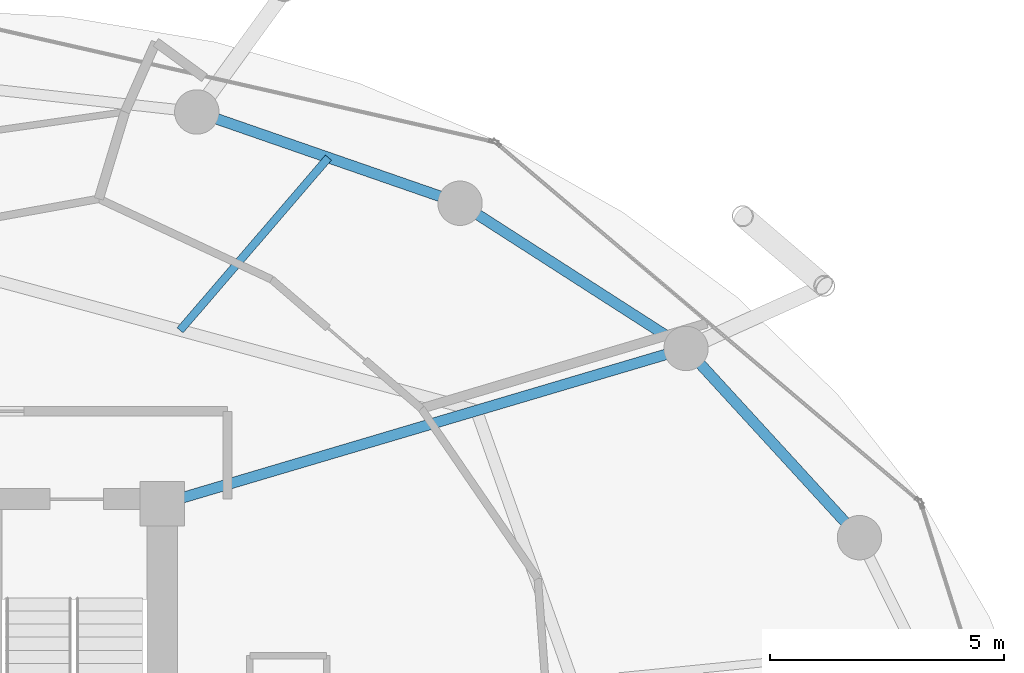
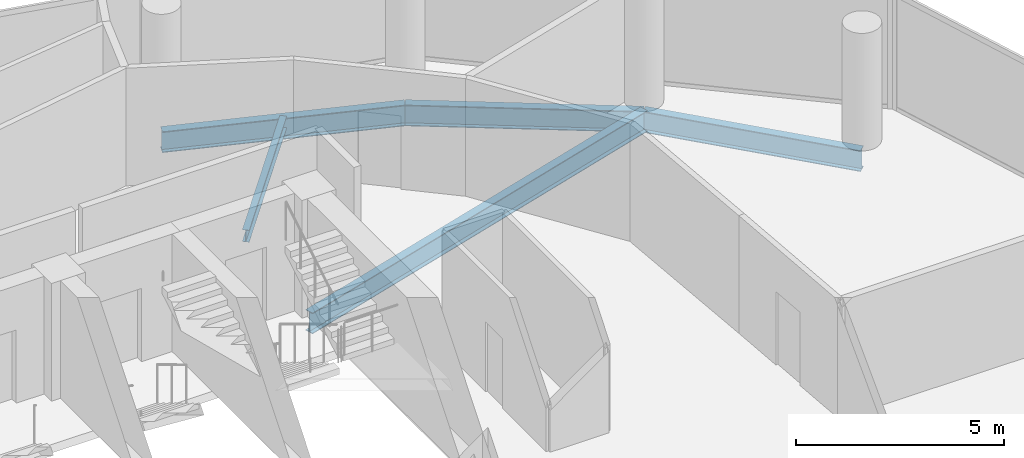
# One storey, part 18 of 26: 5 beams.
"""IFC4 building model written with IfcOpenShell, lengths in metres."""

from ifc_helpers import new_model, si_unit, direction, frame, origin, origin_2d, place, context, subcontext, project, spatial, i_section, extrude, material, material_profile, profile_set, type_object, element, save


model = new_model("IFC4")

# Units and contexts
model_context = context("Model", 3, precision=1e-05, world=origin(), true_north=direction((0.0, 1.0)))
body_context = subcontext(model_context, "Body", "Model", "MODEL_VIEW")
ifc_project = project(units=[si_unit("LENGTHUNIT", "METRE"), si_unit("AREAUNIT", "SQUARE_METRE"), si_unit("VOLUMEUNIT", "CUBIC_METRE"), si_unit("PLANEANGLEUNIT", "RADIAN"), si_unit("MASSUNIT", "GRAM", prefix="KILO")], contexts=[model_context])

# Site, building, storey
site_placement = place(None, origin())
site = spatial("IfcSite", under=ifc_project, at=site_placement, CompositionType="ELEMENT")
building_placement = place(site_placement, origin())
building = spatial("IfcBuilding", under=site, at=building_placement, Name="Nuhasar Tower", CompositionType="ELEMENT")
storey_placement = place(building_placement, frame((0.0, 0.0, 155.25)))
storey = spatial("IfcBuildingStorey", under=building, at=storey_placement, Name="L37", CompositionType="ELEMENT", Elevation=155.25)

# Beams
ifc_material = material(Name="Steel S355", Category="steel")
ifc_material_profile_1 = material_profile(ifc_material, i_section(OverallWidth=0.1708984375, OverallDepth=0.35205078125, WebThickness=0.0068359375, FlangeThickness=0.009765625, at=origin_2d()), Name="W14X30")
ifc_profile_set_1 = profile_set([ifc_material_profile_1], Name="Steel S355")
beam_type_1 = type_object("IfcBeamType", Name="BM-JST-W14X30", PredefinedType="JOIST", material=ifc_profile_set_1)
beam_1_placement = place(storey_placement, frame((44.68408203125, 41.011962890625, -0.426025390625), z_axis=(0.651690621509, 0.758484893612, 0.0), x_axis=(-0.758484893612, 0.651690621509, 0.0)))
element("IfcBeam", 1, at=beam_1_placement, inside=storey, type_object=beam_type_1, Name="L37 Secondary Floor Joist 05", PredefinedType="JOIST", context=body_context, shape_type="SweptSolid", body=[
    extrude(i_section(OverallWidth=0.1708984375, OverallDepth=0.35205078125, WebThickness=0.0068359375, FlangeThickness=0.009765625, at=origin_2d()), origin(), (0.0, 0.0, 1.0), 4.87158203125),
])
ifc_material_profile_2 = material_profile(ifc_material, i_section(OverallWidth=0.22900390625, OverallDepth=0.612060546875, WebThickness=0.011962890625, FlangeThickness=0.01953125, at=origin_2d()), Name="W24X84")
ifc_profile_set_2 = profile_set([ifc_material_profile_2], Name="Steel S355")
beam_type_2 = type_object("IfcBeamType", Name="BM-RAD-W24X84", PredefinedType="BEAM", material=ifc_profile_set_2)
beam_2_placement = place(storey_placement, frame((44.300048828125, 37.300048828125, -0.555908203125), z_axis=(0.958746492721, 0.284262489076, 0.0), x_axis=(-0.284262489076, 0.958746492721, 0.0)))
element("IfcBeam", 2, at=beam_2_placement, inside=storey, type_object=beam_type_2, Name="L37 Radial Floor Girder 05", PredefinedType="BEAM", context=body_context, shape_type="SweptSolid", body=[
    extrude(i_section(OverallWidth=0.22900390625, OverallDepth=0.612060546875, WebThickness=0.011962890625, FlangeThickness=0.01953125, at=origin_2d()), origin(), (0.0, 0.0, 1.0), 11.693359375),
])
ifc_material_profile_3 = material_profile(ifc_material, i_section(OverallWidth=0.22998046875, OverallDepth=0.616943359375, WebThickness=0.01318359375, FlangeThickness=0.022216796875, at=origin_2d()), Name="W24X94")
ifc_profile_set_3 = profile_set([ifc_material_profile_3], Name="Steel S355")
beam_type_3 = type_object("IfcBeamType", Name="BM-RING-W24X94", PredefinedType="SPANDREL", material=ifc_profile_set_3)
beam_3_placement = place(storey_placement, frame((59.221923828125, 36.574951171875, -0.55908203125), z_axis=(-0.675654174897, 0.737218716491, 0.0), x_axis=(-0.737218716491, -0.675654174897, 0.0)))
element("IfcBeam", 3, at=beam_3_placement, inside=storey, type_object=beam_type_3, Name="L37 Perimeter Ring Spandrel 03", PredefinedType="SPANDREL", context=body_context, shape_type="SweptSolid", body=[
    extrude(i_section(OverallWidth=0.22998046875, OverallDepth=0.616943359375, WebThickness=0.01318359375, FlangeThickness=0.022216796875, at=origin_2d()), origin(), (0.0, 0.0, 1.0), 5.492431640625),
])
beam_4_placement = place(storey_placement, frame((55.510986328125, 40.6240234375, -0.55908203125), z_axis=(-0.841327486207, 0.540525726448, 0.0), x_axis=(-0.540525726448, -0.841327486207, 0.0)))
element("IfcBeam", 4, at=beam_4_placement, inside=storey, type_object=beam_type_3, Name="L37 Perimeter Ring Spandrel 04", PredefinedType="SPANDREL", context=body_context, shape_type="SweptSolid", body=[
    extrude(i_section(OverallWidth=0.22998046875, OverallDepth=0.616943359375, WebThickness=0.01318359375, FlangeThickness=0.022216796875, at=origin_2d()), origin(), (0.0, 0.0, 1.0), 5.748046875),
])
beam_5_placement = place(storey_placement, frame((50.675048828125, 43.73095703125, -0.55908203125), z_axis=(-0.944801380051, 0.327643636066, 0.0), x_axis=(-0.327643636066, -0.944801380051, 0.0)))
element("IfcBeam", 5, at=beam_5_placement, inside=storey, type_object=beam_type_3, Name="L37 Perimeter Ring Spandrel 05", PredefinedType="SPANDREL", context=body_context, shape_type="SweptSolid", body=[
    extrude(i_section(OverallWidth=0.22998046875, OverallDepth=0.616943359375, WebThickness=0.01318359375, FlangeThickness=0.022216796875, at=origin_2d()), origin(), (0.0, 0.0, 1.0), 5.961181640625),
])

save(model, "model.ifc")
